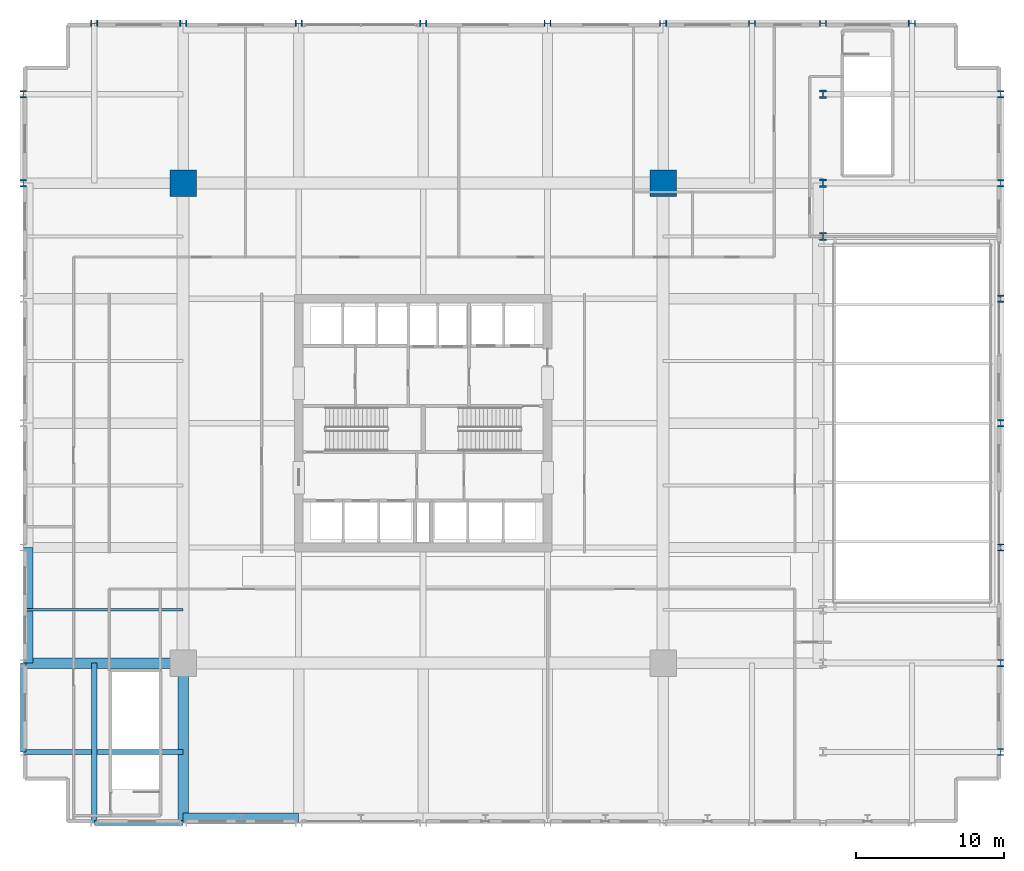
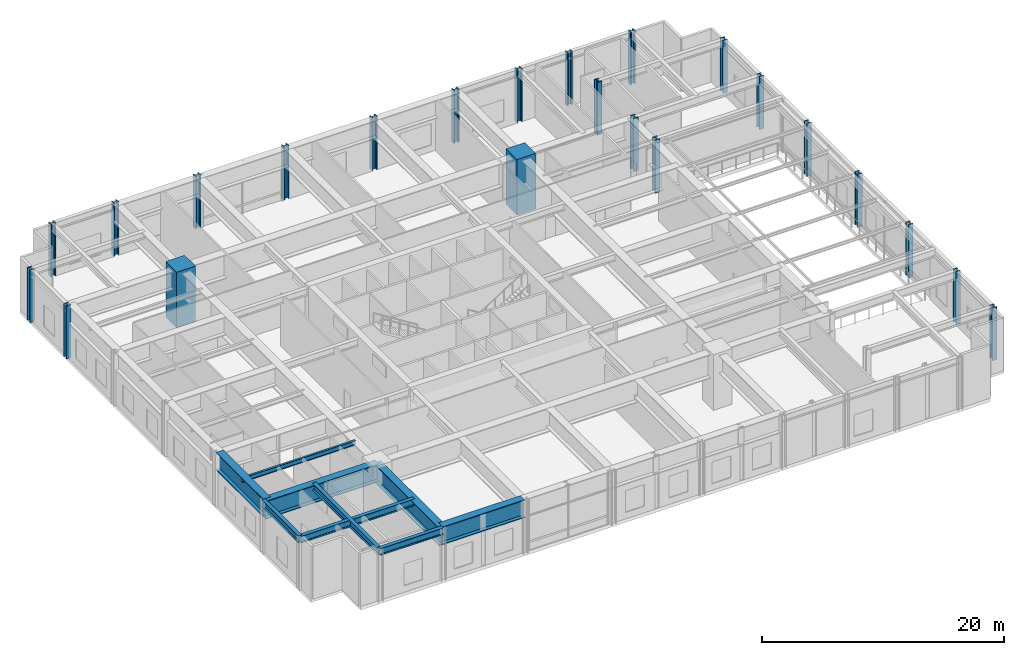
# One storey, part 2 of 19: 23 columns, 9 beams.
"""IFC4 building model written with IfcOpenShell, lengths in metres."""

from ifc_helpers import new_model, si_unit, direction, frame, origin, origin_2d, place, context, subcontext, project, spatial, rectangle, i_section, extrude, material, material_profile, profile_set, type_object, element, save


model = new_model("IFC4")

# Units and contexts
model_context = context("Model", 3, precision=1e-05, world=origin(), true_north=direction((0.0, 1.0)))
body_context = subcontext(model_context, "Body", "Model", "MODEL_VIEW")
ifc_project = project(units=[si_unit("LENGTHUNIT", "METRE"), si_unit("AREAUNIT", "SQUARE_METRE"), si_unit("VOLUMEUNIT", "CUBIC_METRE"), si_unit("PLANEANGLEUNIT", "RADIAN"), si_unit("MASSUNIT", "GRAM", prefix="KILO")], contexts=[model_context])

# Site, building, storey
site_placement = place(None, origin())
site = spatial("IfcSite", under=ifc_project, at=site_placement, CompositionType="ELEMENT")
building_placement = place(site_placement, origin())
building = spatial("IfcBuilding", under=site, at=building_placement, Name="Drelvath Grand Hotel", CompositionType="ELEMENT")
storey_placement = place(building_placement, frame((0.0, 0.0, 27.60009765625)))
storey = spatial("IfcBuildingStorey", under=building, at=storey_placement, Name="L05", CompositionType="ELEMENT", Elevation=27.60009765625)

# Columns
ifc_material_1 = material(Name="Concrete f'c 70 MPa", Category="concrete")
ifc_material_profile_1 = material_profile(ifc_material_1, rectangle(XDim=1.800048828125, YDim=1.800048828125, at=origin_2d()), Name="MC1800X1800")
ifc_profile_set_1 = profile_set([ifc_material_profile_1], Name="Concrete f'c 70 MPa")
column_type_1 = type_object("IfcColumnType", Name="Composite Mega Column MC1800X1800", PredefinedType="COLUMN", material=ifc_profile_set_1)
for number, where, z_axis, x_axis, name in (
    (1, (-16.199951171875, 43.199951171875, 0.0), (0.0, 0.0, 1.0), (1.0, 0.0, 0.0), "L05 Composite Mega Column MC-NW"),
    (2, (16.199951171875, 43.199951171875, 0.0), (0.0, 0.0, 1.0), (1.0, 0.0, 0.0), "L05 Composite Mega Column MC-NE"),
):
    element("IfcColumn", number, at=place(storey_placement, frame(where, z_axis=z_axis, x_axis=x_axis)), inside=storey, type_object=column_type_1, Name=name, PredefinedType="COLUMN", context=body_context, shape_type="SweptSolid", body=[
        extrude(rectangle(XDim=1.800048828125, YDim=1.800048828125, at=origin_2d()), origin(), (0.0, 0.0, 1.0), 5.599853515625),
    ])
ifc_material_2 = material(Name="Steel ASTM A913 Gr 65", Category="steel")
ifc_material_profile_2 = material_profile(ifc_material_2, i_section(OverallWidth=0.43212890625, OverallDepth=0.497802734375, WebThickness=0.0556640625, FlangeThickness=0.0888671875, FilletRadius=0.030029296875, at=origin_2d()), Name="W14X500")
ifc_profile_set_2 = profile_set([ifc_material_profile_2], Name="Steel ASTM A913 Gr 65")
column_type_2 = type_object("IfcColumnType", Name="Perimeter Steel Column W14X500", PredefinedType="COLUMN", material=ifc_profile_set_2)
for number, where, z_axis, x_axis, name in (
    (3, (39.0, 4.800048828125, 0.0), (0.0, 0.0, 1.0), (1.0, 0.0, 0.0), "L05 Structural Column PCE-B"),
    (4, (39.0, 10.800048828125, 0.0), (0.0, 0.0, 1.0), (1.0, 0.0, 0.0), "L05 Structural Column PCE-C"),
    (5, (39.0, 18.60009765625, 0.0), (0.0, 0.0, 1.0), (1.0, 0.0, 0.0), "L05 Structural Column PCE-D"),
    (6, (39.0, 27.0, 0.0), (0.0, 0.0, 1.0), (1.0, 0.0, 0.0), "L05 Structural Column PCE-E"),
    (7, (39.0, 35.39990234375, 0.0), (0.0, 0.0, 1.0), (1.0, 0.0, 0.0), "L05 Structural Column PCE-F"),
    (8, (-27.0, 43.199951171875, 0.0), (0.0, 0.0, 1.0), (1.0, 0.0, 0.0), "L05 Structural Column PCW-G"),
    (9, (39.0, 43.199951171875, 0.0), (0.0, 0.0, 1.0), (1.0, 0.0, 0.0), "L05 Structural Column PCE-G"),
    (10, (-27.0, 49.199951171875, 0.0), (0.0, 0.0, 1.0), (1.0, 0.0, 0.0), "L05 Structural Column PCW-H"),
    (11, (39.0, 49.199951171875, 0.0), (0.0, 0.0, 1.0), (1.0, 0.0, 0.0), "L05 Structural Column PCE-H"),
    (12, (-22.199951171875, 54.0, 0.0), (0.0, 0.0, 1.0), (0.0, 1.0, 0.0), "L05 Structural Column PCN-2"),
    (13, (-16.199951171875, 54.0, 0.0), (0.0, 0.0, 1.0), (0.0, 1.0, 0.0), "L05 Structural Column PCN-3"),
    (14, (-8.39990234375, 54.0, 0.0), (0.0, 0.0, 1.0), (0.0, 1.0, 0.0), "L05 Structural Column PCN-4"),
    (15, (0.0, 54.0, 0.0), (0.0, 0.0, 1.0), (0.0, 1.0, 0.0), "L05 Structural Column PCN-5"),
    (16, (8.39990234375, 54.0, 0.0), (0.0, 0.0, 1.0), (0.0, 1.0, 0.0), "L05 Structural Column PCN-6"),
    (17, (16.199951171875, 54.0, 0.0), (0.0, 0.0, 1.0), (0.0, 1.0, 0.0), "L05 Structural Column PCN-7"),
    (18, (22.199951171875, 54.0, 0.0), (0.0, 0.0, 1.0), (0.0, 1.0, 0.0), "L05 Structural Column PCN-8"),
    (19, (27.0, 54.0, 0.0), (0.0, 0.0, 1.0), (0.0, 1.0, 0.0), "L05 Structural Column PCN-9"),
    (20, (33.0, 54.0, 0.0), (0.0, 0.0, 1.0), (0.0, 1.0, 0.0), "L05 Structural Column PCN-10"),
):
    element("IfcColumn", number, at=place(storey_placement, frame(where, z_axis=z_axis, x_axis=x_axis)), inside=storey, type_object=column_type_2, Name=name, PredefinedType="COLUMN", context=body_context, shape_type="SweptSolid", body=[
        extrude(i_section(OverallWidth=0.43212890625, OverallDepth=0.497802734375, WebThickness=0.0556640625, FlangeThickness=0.0888671875, FilletRadius=0.030029296875, at=origin_2d()), origin(), (0.0, 0.0, 1.0), 5.31982421875),
    ])
ifc_material_profile_3 = material_profile(ifc_material_2, i_section(OverallWidth=0.454345703125, OverallDepth=0.569091796875, WebThickness=0.077880859375, FlangeThickness=0.124755859375, FilletRadius=0.030029296875, at=origin_2d()), Name="W14X730")
ifc_profile_set_3 = profile_set([ifc_material_profile_3], Name="Steel ASTM A913 Gr 65")
column_type_3 = type_object("IfcColumnType", Name="Perimeter Steel Column W14X730", PredefinedType="COLUMN", material=ifc_profile_set_3)
for number, where, z_axis, x_axis, name in (
    (21, (27.0, 39.60009765625, 0.0), (0.0, 0.0, 1.0), (1.0, 0.0, 0.0), "L05 Structural Column PCP9-AT2"),
    (22, (27.0, 43.199951171875, 0.0), (0.0, 0.0, 1.0), (1.0, 0.0, 0.0), "L05 Structural Column PCP9-G"),
    (23, (27.0, 49.199951171875, 0.0), (0.0, 0.0, 1.0), (1.0, 0.0, 0.0), "L05 Structural Column PCP9-H"),
):
    element("IfcColumn", number, at=place(storey_placement, frame(where, z_axis=z_axis, x_axis=x_axis)), inside=storey, type_object=column_type_3, Name=name, PredefinedType="COLUMN", context=body_context, shape_type="SweptSolid", body=[
        extrude(i_section(OverallWidth=0.454345703125, OverallDepth=0.569091796875, WebThickness=0.077880859375, FlangeThickness=0.124755859375, FilletRadius=0.030029296875, at=origin_2d()), origin(), (0.0, 0.0, 1.0), 5.31982421875),
    ])

# Beams
ifc_material_3 = material(Name="Steel ASTM A572 Gr 50", Category="steel")
ifc_material_profile_4 = material_profile(ifc_material_3, i_section(OverallWidth=0.699951171875, OverallDepth=1.800048828125, WebThickness=0.035888671875, FlangeThickness=0.06494140625, at=origin_2d()), Name="PG1800X700")
ifc_profile_set_4 = profile_set([ifc_material_profile_4], Name="Steel ASTM A572 Gr 50")
beam_type_1 = type_object("IfcBeamType", Name="Built-Up Transfer Girder PG1800X700", PredefinedType="BEAM", material=ifc_profile_set_4)
for number, where, z_axis, x_axis, name in (
    (24, (-16.199951171875, 0.320068359375, 4.419921875), (1.0, 0.0, 0.0), (0.0, 1.0, 0.0), "L05 Transfer Girder South 1"),
    (25, (-26.679931640625, 10.800048828125, 4.419921875), (0.0, 1.0, 0.0), (-1.0, 0.0, 0.0), "L05 Transfer Girder West 1"),
):
    element("IfcBeam", number, at=place(storey_placement, frame(where, z_axis=z_axis, x_axis=x_axis)), inside=storey, type_object=beam_type_1, Name=name, PredefinedType="BEAM", context=body_context, shape_type="SweptSolid", body=[
        extrude(i_section(OverallWidth=0.699951171875, OverallDepth=1.800048828125, WebThickness=0.035888671875, FlangeThickness=0.06494140625, at=origin_2d()), origin(), (0.0, 0.0, 1.0), 7.800048828125),
    ])
for number, where, z_axis, x_axis, name in (
    (26, (-27.0, 10.800048828125, 4.419921875), (1.0, 0.0, 0.0), (0.0, 1.0, 0.0), "L05 Transfer Tie Girder WC"),
    (27, (-16.199951171875, 0.0, 4.419921875), (0.0, 1.0, 0.0), (-1.0, 0.0, 0.0), "L05 Transfer Tie Girder S3"),
):
    element("IfcBeam", number, at=place(storey_placement, frame(where, z_axis=z_axis, x_axis=x_axis)), inside=storey, type_object=beam_type_1, Name=name, PredefinedType="BEAM", context=body_context, shape_type="SweptSolid", body=[
        extrude(i_section(OverallWidth=0.699951171875, OverallDepth=1.800048828125, WebThickness=0.035888671875, FlangeThickness=0.06494140625, at=origin_2d()), origin(), (0.0, 0.0, 1.0), 10.800048828125),
    ])
ifc_material_4 = material(Name="Steel ASTM A992 Gr 50", Category="steel")
ifc_material_profile_5 = material_profile(ifc_material_4, i_section(OverallWidth=0.19140625, OverallDepth=0.4599609375, WebThickness=0.010009765625, FlangeThickness=0.01611328125, FilletRadius=0.01611328125, at=origin_2d()), Name="W18X55")
ifc_profile_set_5 = profile_set([ifc_material_profile_5], Name="Steel ASTM A992 Gr 50")
beam_type_2 = type_object("IfcBeamType", Name="Composite Floor Joist W18X55", PredefinedType="JOIST", material=ifc_profile_set_5)
beam_placement = place(storey_placement, frame((-27.0, 14.39990234375, 5.08984375), z_axis=(1.0, 0.0, 0.0), x_axis=(0.0, 1.0, 0.0)))
element("IfcBeam", 28, at=beam_placement, inside=storey, type_object=beam_type_2, Name="L05 West Composite Joist J3", PredefinedType="JOIST", context=body_context, shape_type="SweptSolid", body=[
    extrude(i_section(OverallWidth=0.19140625, OverallDepth=0.4599609375, WebThickness=0.010009765625, FlangeThickness=0.01611328125, FilletRadius=0.01611328125, at=origin_2d()), origin(), (0.0, 0.0, 1.0), 10.800048828125),
])
ifc_material_profile_6 = material_profile(ifc_material_4, i_section(OverallWidth=0.354736328125, OverallDepth=0.695556640625, WebThickness=0.015380859375, FlangeThickness=0.025146484375, FilletRadius=0.02392578125, at=origin_2d()), Name="W27X146")
ifc_profile_set_6 = profile_set([ifc_material_profile_6], Name="Steel ASTM A992 Gr 50")
beam_type_3 = type_object("IfcBeamType", Name="Perimeter Spandrel Beam W27X146", PredefinedType="SPANDREL", material=ifc_profile_set_6)
for number, where, z_axis, x_axis, name in (
    (29, (-27.0, 4.800048828125, 4.97216796875), (0.0, 1.0, 0.0), (-1.0, 0.0, 0.0), "L05 Podium Perimeter Spandrel SPW1A"),
    (30, (-22.199951171875, 0.0, 4.97216796875), (1.0, 0.0, 0.0), (0.0, 1.0, 0.0), "L05 Podium Perimeter Spandrel SPS1A"),
):
    element("IfcBeam", number, at=place(storey_placement, frame(where, z_axis=z_axis, x_axis=x_axis)), inside=storey, type_object=beam_type_3, Name=name, PredefinedType="SPANDREL", context=body_context, shape_type="SweptSolid", body=[
        extrude(i_section(OverallWidth=0.354736328125, OverallDepth=0.695556640625, WebThickness=0.015380859375, FlangeThickness=0.025146484375, FilletRadius=0.02392578125, at=origin_2d()), origin(), (0.0, 0.0, 1.0), 6.0),
    ])
ifc_material_profile_7 = material_profile(ifc_material_4, i_section(OverallWidth=0.354736328125, OverallDepth=0.695556640625, WebThickness=0.015380859375, FlangeThickness=0.025146484375, FilletRadius=0.02392578125, at=origin_2d()), Name="W27X146")
ifc_profile_set_7 = profile_set([ifc_material_profile_7], Name="Steel ASTM A992 Gr 50")
beam_type_4 = type_object("IfcBeamType", Name="Primary Floor Girder W27X146", PredefinedType="BEAM", material=ifc_profile_set_7)
for number, where, z_axis, x_axis, name in (
    (31, (-27.0, 4.800048828125, 4.97216796875), (1.0, 0.0, 0.0), (0.0, 1.0, 0.0), "L05 West Corner Tie B"),
    (32, (-22.199951171875, 0.0, 4.97216796875), (0.0, 1.0, 0.0), (-1.0, 0.0, 0.0), "L05 South Corner Tie 2"),
):
    element("IfcBeam", number, at=place(storey_placement, frame(where, z_axis=z_axis, x_axis=x_axis)), inside=storey, type_object=beam_type_4, Name=name, PredefinedType="BEAM", context=body_context, shape_type="SweptSolid", body=[
        extrude(i_section(OverallWidth=0.354736328125, OverallDepth=0.695556640625, WebThickness=0.015380859375, FlangeThickness=0.025146484375, FilletRadius=0.02392578125, at=origin_2d()), origin(), (0.0, 0.0, 1.0), 10.800048828125),
    ])

save(model, "model.ifc")
